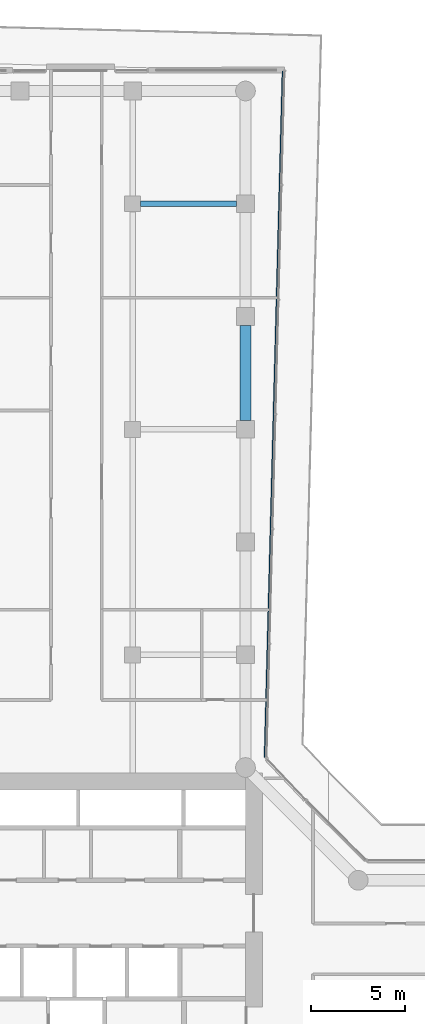
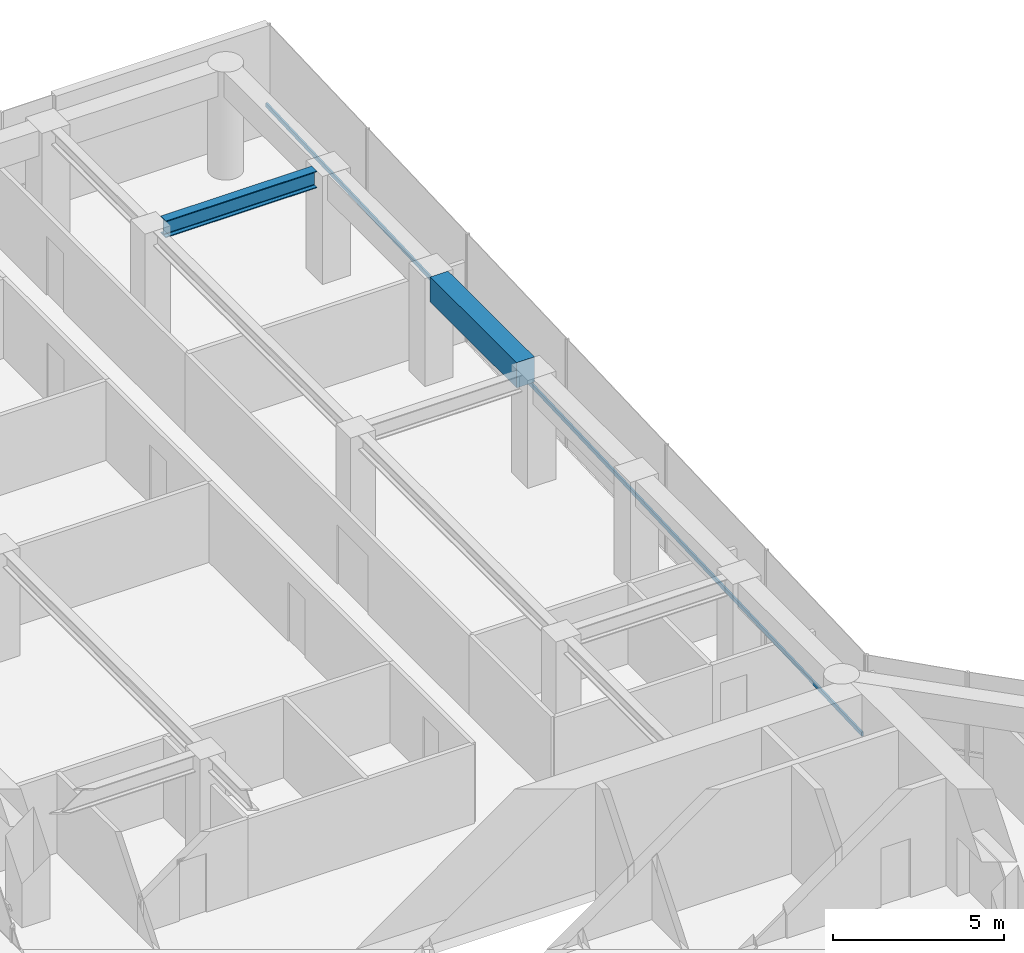
# One storey, part 18 of 28: 2 beams, 1 member, 1 element without a shape of its own.
"""IFC4 building model written with IfcOpenShell, lengths in metres."""

from ifc_helpers import new_model, si_unit, direction, frame, origin, origin_2d, place, context, subcontext, project, spatial, rectangle, i_section, extrude, material, layer, layer_set, material_profile, profile_set, type_object, element, aggregate, save


model = new_model("IFC4")

# Units and contexts
model_context = context("Model", 3, precision=1e-05, world=origin(), true_north=direction((0.0, 1.0)))
body_context = subcontext(model_context, "Body", "Model", "MODEL_VIEW")
ifc_project = project(units=[si_unit("LENGTHUNIT", "METRE"), si_unit("AREAUNIT", "SQUARE_METRE"), si_unit("VOLUMEUNIT", "CUBIC_METRE"), si_unit("PLANEANGLEUNIT", "RADIAN"), si_unit("MASSUNIT", "GRAM", prefix="KILO")], contexts=[model_context])

# Site, building, storey
site_placement = place(None, origin())
site = spatial("IfcSite", under=ifc_project, at=site_placement, CompositionType="ELEMENT")
building_placement = place(site_placement, origin())
building = spatial("IfcBuilding", under=site, at=building_placement, Name="Welwitschia Terrace Campus", CompositionType="ELEMENT")
storey_placement = place(building_placement, frame((0.0, 0.0, 45.800048828125)))
storey = spatial("IfcBuildingStorey", under=building, at=storey_placement, Name="L10", CompositionType="ELEMENT", Elevation=45.800048828125)

# Beams
ifc_material_1 = material(Name="Steel S355", Category="steel")
ifc_material_profile_1 = material_profile(ifc_material_1, i_section(OverallWidth=0.300048828125, OverallDepth=0.60009765625, WebThickness=0.015380859375, FlangeThickness=0.030029296875, FilletRadius=0.027099609375, at=origin_2d()))
ifc_profile_set_1 = profile_set([ifc_material_profile_1], Name="Steel S355")
beam_type_1 = type_object("IfcBeamType", Name="Primary beam HE 600 B", PredefinedType="BEAM", material=ifc_profile_set_1)
beam_1_placement = place(storey_placement, frame((23.5244140625, 56.0, 3.550048828125), z_axis=(-1.0, 0.0, 0.0), x_axis=(0.0, -1.0, 0.0)))
element("IfcBeam", 1, at=beam_1_placement, inside=storey, type_object=beam_type_1, Name="Primary beam PB2", PredefinedType="BEAM", context=body_context, shape_type="SweptSolid", body=[
    extrude(i_section(OverallWidth=0.300048828125, OverallDepth=0.60009765625, WebThickness=0.015380859375, FlangeThickness=0.030029296875, FilletRadius=0.027099609375, at=origin_2d()), origin(), (0.0, 0.0, 1.0), 5.098876953125),
])
ifc_material_2 = material(Name="Concrete C60/75", Category="concrete")
ifc_material_profile_2 = material_profile(ifc_material_2, rectangle(XDim=0.60009765625, YDim=0.89990234375, at=origin_2d()))
ifc_profile_set_2 = profile_set([ifc_material_profile_2], Name="Concrete C60/75")
beam_type_2 = type_object("IfcBeamType", Name="Ring spandrel 600x900", PredefinedType="SPANDREL", material=ifc_profile_set_2)
beam_2_placement = place(storey_placement, frame((24.0, 44.4755859375, 3.39990234375), z_axis=(0.0, 1.0, 0.0), x_axis=(-1.0, 0.0, 0.0)))
element("IfcBeam", 2, at=beam_2_placement, inside=storey, type_object=beam_type_2, Name="Spandrel SP2", PredefinedType="SPANDREL", context=body_context, shape_type="SweptSolid", body=[
    extrude(rectangle(XDim=0.60009765625, YDim=0.89990234375, at=origin_2d()), origin(), (0.0, 0.0, 1.0), 5.048828125),
])

# Curtain wall, member
ifc_material_3 = material(Name="Bronze anodised aluminium", Category="aluminium")
ifc_layer = layer(ifc_material_3, 0.1201171875)
ifc_layer_set = layer_set([ifc_layer], Name="Bronze anodised aluminium")
curtain_wall_type = type_object("IfcCurtainWallType", Name="Curtain wall CW2 tower 6000", PredefinedType="NOTDEFINED", material=ifc_layer_set)
curtain_wall_placement = place(storey_placement, origin())
curtain_wall = element("IfcCurtainWall", 3, at=curtain_wall_placement, inside=storey, type_object=curtain_wall_type, Name="CW L10.9.0", PredefinedType="NOTDEFINED")
ifc_material_4 = material(Name="Bronze anodised aluminium", Category="aluminium")
ifc_material_profile_3 = material_profile(ifc_material_4, rectangle(XDim=0.06005859375, YDim=0.14990234375, at=origin_2d()))
ifc_profile_set_3 = profile_set([ifc_material_profile_3], Name="Bronze anodised aluminium")
member_type = type_object("IfcMemberType", Name="Transom 60x150", PredefinedType="USERDEFINED", material=ifc_profile_set_3)
member_placement = place(storey_placement, frame((25.026611328125, 26.5576171875, 1.0), z_axis=(0.026180034082, 0.999657244167, 0.0), x_axis=(-0.999657244167, 0.026180034082, 0.0)))
member = element("IfcMember", 4, at=member_placement, type_object=member_type, Name="Transom L10.9.0", ObjectType="TRANSOM", PredefinedType="USERDEFINED", context=body_context, shape_type="SweptSolid", body=[
    extrude(rectangle(XDim=0.06005859375, YDim=0.14990234375, at=origin_2d()), origin(), (0.0, 0.0, 1.0), 36.499755859375),
])
aggregate(curtain_wall, [member])

save(model, "model.ifc")
